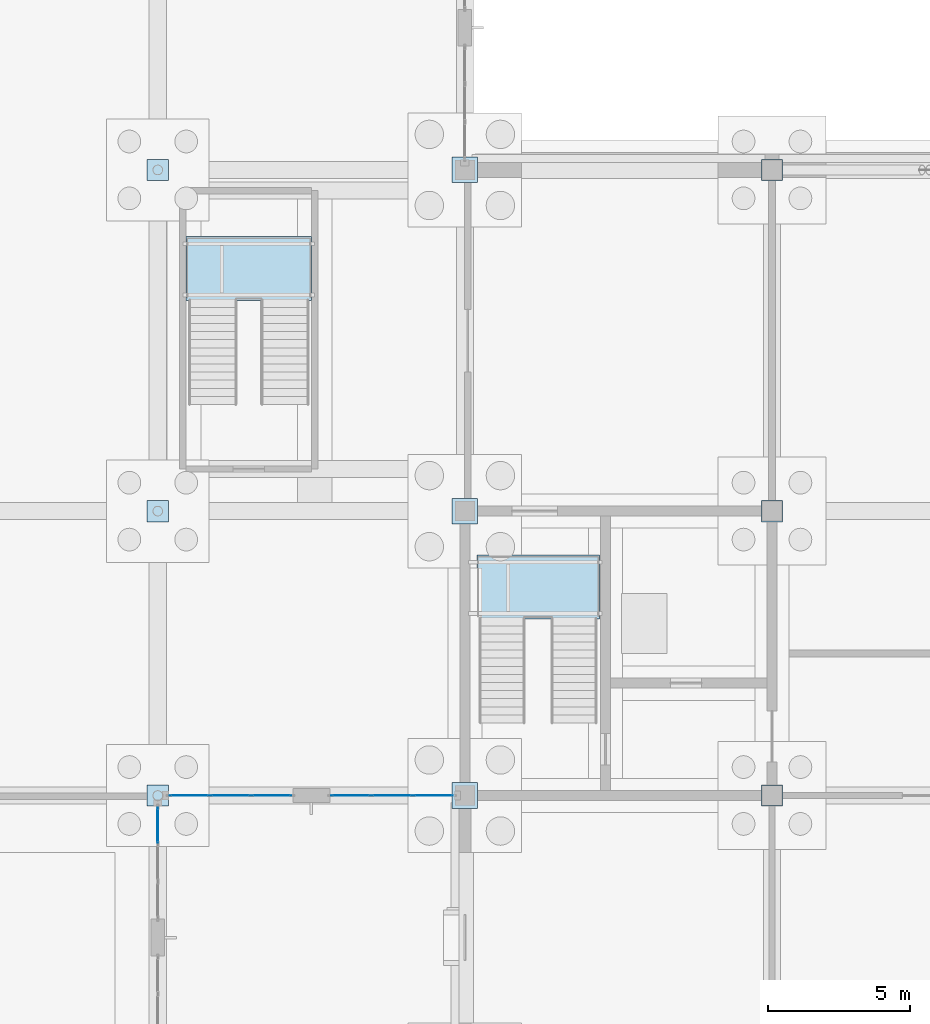
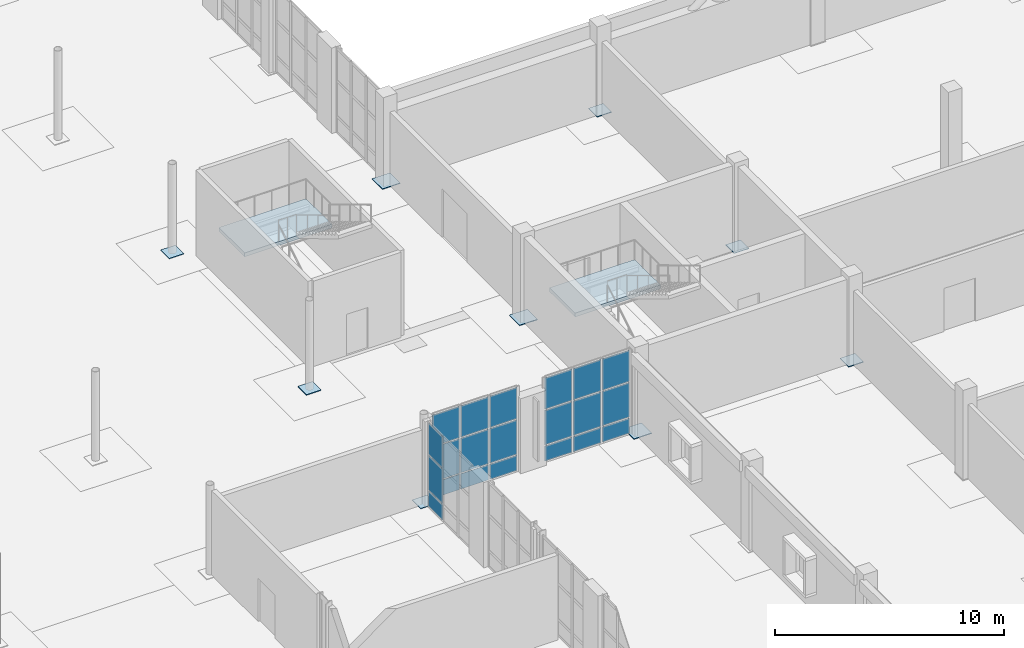
# One storey, part 42 of 73: 30 plates, 2 slabs, 5 elements without a shape of their own.
"""IFC4 building model written with IfcOpenShell, lengths in metres."""

import ifcopenshell
import ifcopenshell.guid

model = None  # the IFC model being written
_history = None  # IfcOwnerHistory: only IFC2X3 demands one
_inside = {}  # id of a spatial element -> (the spatial element, [elements in it])
_under = {}  # id of a project, library or spatial element -> (it, [spatial elements below it])
_declared = {}  # id of a project -> (the project, [libraries it declares])
_typed = {}  # id of a type object -> (the type object, [elements of that type])
_made_of = {}  # id of a material, layer set ... -> (it, [elements and type objects made of it])


def new_model(schema):
    """Start an empty IFC model of exactly this schema.

    Asked for "IFC4X3", IfcOpenShell would pick the latest addendum, in which some entities
    have other attributes; the version numbers below select the first issue.
    IFC2X3 requires an IfcOwnerHistory on every rooted entity: one is made here for all.
    """
    global model, _history
    if schema == "IFC4X3":
        model = ifcopenshell.file(schema_version=(4, 3, 0, 0))
    else:
        model = ifcopenshell.file(schema=schema)
    _inside.clear()
    _under.clear()
    _declared.clear()
    _typed.clear()
    _made_of.clear()
    _history = None
    if model.schema == "IFC2X3":
        org = make("IfcOrganization", Name="unknown")
        user = make(
            "IfcPersonAndOrganization",
            ThePerson=make("IfcPerson", FamilyName="unknown"),
            TheOrganization=org,
        )
        app = make(
            "IfcApplication",
            ApplicationDeveloper=org,
            Version="unknown",
            ApplicationFullName="unknown",
            ApplicationIdentifier="unknown",
        )
        _history = make(
            "IfcOwnerHistory",
            OwningUser=user,
            OwningApplication=app,
            ChangeAction="ADDED",
            CreationDate=0,
        )
    return model


def make(cls, **values):
    """One entity of the class cls with the attributes given. An attribute that is None is left unset."""
    return model.create_entity(
        cls, **{name: value for name, value in values.items() if value is not None}
    )


def rooted(cls, **values):
    """An entity with a GlobalId (a new one), such as an element, a storey or a relation."""
    return make(cls, GlobalId=ifcopenshell.guid.new(), OwnerHistory=_history, **values)


def si_unit(unit_type, name, prefix=None):
    """IfcSIUnit, for example si_unit("LENGTHUNIT", "METRE", prefix="MILLI")."""
    return make("IfcSIUnit", UnitType=unit_type, Prefix=prefix, Name=name)


def assignment(units):
    """IfcUnitAssignment: the units of a project."""
    return None if units is None else make("IfcUnitAssignment", Units=units)


def point(xyz):
    """IfcCartesianPoint."""
    return None if xyz is None else make("IfcCartesianPoint", Coordinates=xyz)


def direction(xyz):
    """IfcDirection."""
    return None if xyz is None else make("IfcDirection", DirectionRatios=xyz)


def frame(location, z_axis=None, x_axis=None):
    """IfcAxis2Placement3D, a coordinate frame: its origin and axes. An axis left out is left unset."""
    return make(
        "IfcAxis2Placement3D",
        Location=point(location),
        Axis=direction(z_axis),
        RefDirection=direction(x_axis),
    )


def frame_2d(location, x_axis=None):
    """IfcAxis2Placement2D, a coordinate frame in the plane: its origin and x axis."""
    return make(
        "IfcAxis2Placement2D", Location=point(location), RefDirection=direction(x_axis)
    )


def origin():
    """The frame at (0, 0, 0) with its axes left unset."""
    return frame((0.0, 0.0, 0.0))


def origin_2d():
    """The frame at (0, 0) in the plane with its x axis left unset."""
    return frame_2d((0.0, 0.0))


def place(relative_to, where):
    """IfcLocalPlacement: puts the frame where relative to a parent placement (None: the world)."""
    return make(
        "IfcLocalPlacement", PlacementRelTo=relative_to, RelativePlacement=where
    )


def context(
    kind, dimensions, precision=None, world=None, true_north=None, identifier=None
):
    """IfcGeometricRepresentationContext, for example the 3D "Model" context."""
    return make(
        "IfcGeometricRepresentationContext",
        ContextIdentifier=identifier,
        ContextType=kind,
        CoordinateSpaceDimension=dimensions,
        Precision=precision,
        WorldCoordinateSystem=world,
        TrueNorth=true_north,
    )


def subcontext(parent, identifier, kind, view, scale=None):
    """IfcGeometricRepresentationSubContext, for example "Body" below "Model"."""
    return make(
        "IfcGeometricRepresentationSubContext",
        ContextIdentifier=identifier,
        ContextType=kind,
        ParentContext=parent,
        TargetScale=scale,
        TargetView=view,
    )


def project(units=None, contexts=None):
    """IfcProject with its units and contexts."""
    return rooted(
        "IfcProject",
        Name="project",
        RepresentationContexts=contexts,
        UnitsInContext=assignment(units),
    )


def spatial(cls, under=None, at=None, **own):
    """A site, building, storey or space (cls), placed at a placement, below another one or the project."""
    s = rooted(cls, ObjectPlacement=at, **own)
    if under is not None:
        _under.setdefault(under.id(), (under, []))[1].append(s)
    return s


def polyline(points):
    """IfcPolyline through the points."""
    return make("IfcPolyline", Points=[point(p) for p in points])


def profile(cls, at=None, kind="AREA", **sizes):
    """A parametric profile (cls). Its sizes go by their IFC names, for example OverallWidth=200.0."""
    return make(cls, ProfileType=kind, Position=at, **sizes)


def rectangle(**sizes):
    """IfcRectangleProfileDef."""
    return profile("IfcRectangleProfileDef", **sizes)


def outline(outer, holes=None, kind="AREA"):
    """IfcArbitraryClosedProfileDef: a profile drawn as a closed curve; with holes, ...WithVoids."""
    if holes is None:
        return make("IfcArbitraryClosedProfileDef", ProfileType=kind, OuterCurve=outer)
    return make(
        "IfcArbitraryProfileDefWithVoids",
        ProfileType=kind,
        OuterCurve=outer,
        InnerCurves=holes,
    )


def extrude(swept, where, along, depth):
    """IfcExtrudedAreaSolid: the profile swept, set in the frame where, extruded along a direction by depth."""
    return make(
        "IfcExtrudedAreaSolid",
        SweptArea=swept,
        Position=where,
        ExtrudedDirection=direction(along),
        Depth=depth,
    )


def shape(context_of_items, identifier, shape_type, items):
    """IfcShapeRepresentation: the items that make up one representation, for example the "Body"."""
    return make(
        "IfcShapeRepresentation",
        ContextOfItems=context_of_items,
        RepresentationIdentifier=identifier,
        RepresentationType=shape_type,
        Items=items,
    )


def material(Name=None, Category=None):
    """IfcMaterial."""
    return make("IfcMaterial", Name=Name, Category=Category)


def layer(
    of_material, thickness, ventilated=None, Name=None, Category=None, Priority=None
):
    """IfcMaterialLayer: one layer of a wall or slab, of a material (None: an air gap)."""
    return make(
        "IfcMaterialLayer",
        Material=of_material,
        LayerThickness=thickness,
        IsVentilated=ventilated,
        Name=Name,
        Category=Category,
        Priority=Priority,
    )


def layer_set(layers, Name=None):
    """IfcMaterialLayerSet."""
    return make("IfcMaterialLayerSet", MaterialLayers=layers, LayerSetName=Name)


def made_of(thing, what):
    """Note that an element or type object is made of a material, layer set ...; save() writes the relation."""
    if what is not None:
        _made_of.setdefault(what.id(), (what, []))[1].append(thing)
    return thing


def type_object(cls, material=None, **own):
    """A type object (cls), such as IfcWallType, which elements share."""
    return made_of(rooted(cls, **own), material)


def element(
    cls,
    number,
    at=None,
    inside=None,
    cuts=None,
    type_object=None,
    material=None,
    context=None,
    identifier="Body",
    shape_type=None,
    held_by="IfcProductDefinitionShape",
    body=None,
    shapes=None,
    **own,
):
    """One element of the class cls, such as IfcWall. Its Tag is "e" and its number.

    at: its placement. inside: the storey or other place that contains it. cuts: it is an
    opening in that element (IfcRelVoidsElement). A single representation is given by context,
    identifier, shape_type and body (its items); several are given by shapes. held_by: the class
    of the entity that holds the representations. save() writes the other relations.
    """
    e = rooted(cls, Tag="e%d" % number, ObjectPlacement=at, **own)
    if body is not None:
        shapes = [shape(context, identifier, shape_type, body)]
    if shapes is not None:
        e.Representation = make(held_by, Representations=shapes)
    if inside is not None:
        _inside.setdefault(inside.id(), (inside, []))[1].append(e)
    if cuts is not None:
        rooted(
            "IfcRelVoidsElement", RelatingBuildingElement=cuts, RelatedOpeningElement=e
        )
    if type_object is not None:
        _typed.setdefault(type_object.id(), (type_object, []))[1].append(e)
    return made_of(e, material)


def aggregate(whole, parts):
    """IfcRelAggregates: a whole, such as a stair, and the parts it consists of."""
    return rooted("IfcRelAggregates", RelatingObject=whole, RelatedObjects=parts)


def save(model, path):
    """Write the relations noted so far, then the file.

    IfcRelAggregates (storeys below a building ...), IfcRelContainedInSpatialStructure (elements
    in a storey), IfcRelDefinesByType, IfcRelAssociatesMaterial and IfcRelDeclares: one each for
    every whole, place, type object, material and project.
    """
    for whole, parts in _under.values():
        aggregate(whole, parts)
    for where, things in _inside.values():
        rooted(
            "IfcRelContainedInSpatialStructure",
            RelatedElements=things,
            RelatingStructure=where,
        )
    for kind, things in _typed.values():
        rooted("IfcRelDefinesByType", RelatedObjects=things, RelatingType=kind)
    for what, things in _made_of.values():
        rooted("IfcRelAssociatesMaterial", RelatedObjects=things, RelatingMaterial=what)
    for by, libraries in _declared.values():
        rooted("IfcRelDeclares", RelatingContext=by, RelatedDefinitions=libraries)
    model.write(path)


model = new_model("IFC4")

# Units and contexts
model_context = context("Model", 3, precision=1e-05, world=origin(), true_north=direction((0.0, 1.0)))
body_context = subcontext(model_context, "Body", "Model", "MODEL_VIEW")
ifc_project = project(units=[si_unit("LENGTHUNIT", "METRE"), si_unit("AREAUNIT", "SQUARE_METRE"), si_unit("VOLUMEUNIT", "CUBIC_METRE"), si_unit("PLANEANGLEUNIT", "RADIAN"), si_unit("MASSUNIT", "GRAM", prefix="KILO")], contexts=[model_context])

# Site, building, storey
site_placement = place(None, origin())
site = spatial("IfcSite", under=ifc_project, at=site_placement, CompositionType="ELEMENT")
building_placement = place(site_placement, origin())
building = spatial("IfcBuilding", under=site, at=building_placement, Name="Tasgan Crest Museum", CompositionType="ELEMENT")
storey_placement = place(building_placement, origin())
storey = spatial("IfcBuildingStorey", under=building, at=storey_placement, Name="L00", CompositionType="ELEMENT", Elevation=0.0)

# Curtain wall, plate
ifc_material_1 = material(Name="Triple-Glazed Aluminium Curtain Wall", Category="aluminium")
ifc_layer_1 = layer(ifc_material_1, 0.179931640625, Name="CW-PORCH-Y")
ifc_layer_set_1 = layer_set([ifc_layer_1], Name="Triple-Glazed Aluminium Curtain Wall")
curtain_wall_type_1 = type_object("IfcCurtainWallType", Name="CW-PORCH-Y", PredefinedType="NOTDEFINED", material=ifc_layer_set_1)
curtain_wall_1_placement = place(storey_placement, origin())
curtain_wall_1 = element("IfcCurtainWall", 1, at=curtain_wall_1_placement, inside=storey, type_object=curtain_wall_type_1, Name="Curtain wall L00 010", PredefinedType="NOTDEFINED")
ifc_material_2 = material(Name="Insulated Spandrel Glass", Category="glass")
ifc_layer_2 = layer(ifc_material_2, 0.052001953125, Name="CW-PANEL-SPANDREL")
ifc_layer_set_2 = layer_set([ifc_layer_2], Name="Insulated Spandrel Glass")
plate_type_1 = type_object("IfcPlateType", Name="CW-PANEL-SPANDREL", PredefinedType="CURTAIN_PANEL", material=ifc_layer_set_2)
plate_1_placement = place(storey_placement, frame((97.199951171875, 38.955078125, 0.06005859375), z_axis=(0.0, 0.0, 1.0), x_axis=(0.0, 1.0, 0.0)))
plate_1 = element("IfcPlate", 2, at=plate_1_placement, type_object=plate_type_1, Name="CW02 panel 3.1", PredefinedType="CURTAIN_PANEL", context=body_context, shape_type="SweptSolid", body=[
    extrude(rectangle(XDim=1.239990234375, YDim=0.028076171875, at=origin_2d()), origin(), (0.0, 0.0, 1.0), 0.81005859375),
])

# Curtain wall, plates
ifc_material_3 = material(Name="Triple-Glazed Aluminium Curtain Wall", Category="aluminium")
ifc_layer_3 = layer(ifc_material_3, 0.179931640625, Name="CW-DRUM-X-48")
ifc_layer_set_3 = layer_set([ifc_layer_3], Name="Triple-Glazed Aluminium Curtain Wall")
curtain_wall_type_2 = type_object("IfcCurtainWallType", Name="CW-DRUM-X-48", PredefinedType="NOTDEFINED", material=ifc_layer_set_3)
curtain_wall_2_placement = place(storey_placement, origin())
curtain_wall_2 = element("IfcCurtainWall", 3, at=curtain_wall_2_placement, inside=storey, type_object=curtain_wall_type_2, Name="Curtain wall L00 011", PredefinedType="NOTDEFINED")
plate_2_placement = place(storey_placement, frame((98.311767578125, 40.0, 0.06005859375), z_axis=(0.0, 0.0, 1.0), x_axis=(1.0, 0.0, 0.0)))
plate_2 = element("IfcPlate", 4, at=plate_2_placement, type_object=plate_type_1, Name="CW03 panel 1.1", PredefinedType="CURTAIN_PANEL", context=body_context, shape_type="SweptSolid", body=[
    extrude(rectangle(XDim=1.373291015625, YDim=0.028076171875, at=origin_2d()), origin(), (0.0, 0.0, 1.0), 0.81005859375),
])
plate_3_placement = place(storey_placement, frame((99.760009765625, 40.0, 0.06005859375), z_axis=(0.0, 0.0, 1.0), x_axis=(1.0, 0.0, 0.0)))
plate_3 = element("IfcPlate", 5, at=plate_3_placement, type_object=plate_type_1, Name="CW03 panel 2.1", PredefinedType="CURTAIN_PANEL", context=body_context, shape_type="SweptSolid", body=[
    extrude(rectangle(XDim=1.4033203125, YDim=0.028076171875, at=origin_2d()), origin(), (0.0, 0.0, 1.0), 0.81005859375),
])
plate_4_placement = place(storey_placement, frame((101.208251953125, 40.0, 0.06005859375), z_axis=(0.0, 0.0, 1.0), x_axis=(1.0, 0.0, 0.0)))
plate_4 = element("IfcPlate", 6, at=plate_4_placement, type_object=plate_type_1, Name="CW03 panel 3.1", PredefinedType="CURTAIN_PANEL", context=body_context, shape_type="SweptSolid", body=[
    extrude(rectangle(XDim=1.373291015625, YDim=0.028076171875, at=origin_2d()), origin(), (0.0, 0.0, 1.0), 0.81005859375),
])

curtain_wall_3_placement = place(storey_placement, origin())
curtain_wall_3 = element("IfcCurtainWall", 7, at=curtain_wall_3_placement, inside=storey, type_object=curtain_wall_type_2, Name="Curtain wall L00 012", PredefinedType="NOTDEFINED")
plate_5_placement = place(storey_placement, frame((103.99169921875, 40.0, 0.06005859375), z_axis=(0.0, 0.0, 1.0), x_axis=(1.0, 0.0, 0.0)))
plate_5 = element("IfcPlate", 8, at=plate_5_placement, type_object=plate_type_1, Name="CW03 panel 1.1", PredefinedType="CURTAIN_PANEL", context=body_context, shape_type="SweptSolid", body=[
    extrude(rectangle(XDim=1.373291015625, YDim=0.028076171875, at=origin_2d()), origin(), (0.0, 0.0, 1.0), 0.81005859375),
])
plate_6_placement = place(storey_placement, frame((105.43994140625, 40.0, 0.06005859375), z_axis=(0.0, 0.0, 1.0), x_axis=(1.0, 0.0, 0.0)))
plate_6 = element("IfcPlate", 9, at=plate_6_placement, type_object=plate_type_1, Name="CW03 panel 2.1", PredefinedType="CURTAIN_PANEL", context=body_context, shape_type="SweptSolid", body=[
    extrude(rectangle(XDim=1.4033203125, YDim=0.028076171875, at=origin_2d()), origin(), (0.0, 0.0, 1.0), 0.81005859375),
])
plate_7_placement = place(storey_placement, frame((106.888427734375, 40.0, 0.06005859375), z_axis=(0.0, 0.0, 1.0), x_axis=(1.0, 0.0, 0.0)))
plate_7 = element("IfcPlate", 10, at=plate_7_placement, type_object=plate_type_1, Name="CW03 panel 3.1", PredefinedType="CURTAIN_PANEL", context=body_context, shape_type="SweptSolid", body=[
    extrude(rectangle(XDim=1.373291015625, YDim=0.028076171875, at=origin_2d()), origin(), (0.0, 0.0, 1.0), 0.81005859375),
])

# Plate
ifc_material_4 = material(Name="Low-E Triple Glazing", Category="glass")
ifc_layer_4 = layer(ifc_material_4, 0.0439453125, Name="CW-PANEL-TRIPLE")
ifc_layer_set_4 = layer_set([ifc_layer_4], Name="Low-E Triple Glazing")
plate_type_2 = type_object("IfcPlateType", Name="CW-PANEL-TRIPLE", PredefinedType="CURTAIN_PANEL", material=ifc_layer_set_4)
plate_8_placement = place(storey_placement, frame((97.199951171875, 38.955078125, 0.93017578125), z_axis=(0.0, 0.0, 1.0), x_axis=(0.0, 1.0, 0.0)))
plate_8 = element("IfcPlate", 11, at=plate_8_placement, type_object=plate_type_2, Name="CW02 panel 3.2", PredefinedType="CURTAIN_PANEL", context=body_context, shape_type="SweptSolid", body=[
    extrude(rectangle(XDim=1.239990234375, YDim=0.028076171875, at=origin_2d()), origin(), (0.0, 0.0, 1.0), 1.840087890625),
])

plate_9_placement = place(storey_placement, frame((97.199951171875, 38.955078125, 2.830078125), z_axis=(0.0, 0.0, 1.0), x_axis=(0.0, 1.0, 0.0)))
plate_9 = element("IfcPlate", 12, at=plate_9_placement, type_object=plate_type_2, Name="CW02 panel 3.3", PredefinedType="CURTAIN_PANEL", context=body_context, shape_type="SweptSolid", body=[
    extrude(rectangle(XDim=1.239990234375, YDim=0.028076171875, at=origin_2d()), origin(), (0.0, 0.0, 1.0), 1.669921875),
])

aggregate(curtain_wall_1, [plate_1, plate_8, plate_9])

plate_10_placement = place(storey_placement, frame((98.311767578125, 40.0, 0.93017578125), z_axis=(0.0, 0.0, 1.0), x_axis=(1.0, 0.0, 0.0)))
plate_10 = element("IfcPlate", 13, at=plate_10_placement, type_object=plate_type_2, Name="CW03 panel 1.2", PredefinedType="CURTAIN_PANEL", context=body_context, shape_type="SweptSolid", body=[
    extrude(rectangle(XDim=1.373291015625, YDim=0.028076171875, at=origin_2d()), origin(), (0.0, 0.0, 1.0), 1.840087890625),
])

plate_11_placement = place(storey_placement, frame((98.311767578125, 40.0, 2.830078125), z_axis=(0.0, 0.0, 1.0), x_axis=(1.0, 0.0, 0.0)))
plate_11 = element("IfcPlate", 14, at=plate_11_placement, type_object=plate_type_2, Name="CW03 panel 1.3", PredefinedType="CURTAIN_PANEL", context=body_context, shape_type="SweptSolid", body=[
    extrude(rectangle(XDim=1.373291015625, YDim=0.028076171875, at=origin_2d()), origin(), (0.0, 0.0, 1.0), 1.669921875),
])

plate_12_placement = place(storey_placement, frame((99.760009765625, 40.0, 0.93017578125), z_axis=(0.0, 0.0, 1.0), x_axis=(1.0, 0.0, 0.0)))
plate_12 = element("IfcPlate", 15, at=plate_12_placement, type_object=plate_type_2, Name="CW03 panel 2.2", PredefinedType="CURTAIN_PANEL", context=body_context, shape_type="SweptSolid", body=[
    extrude(rectangle(XDim=1.4033203125, YDim=0.028076171875, at=origin_2d()), origin(), (0.0, 0.0, 1.0), 1.840087890625),
])

plate_13_placement = place(storey_placement, frame((99.760009765625, 40.0, 2.830078125), z_axis=(0.0, 0.0, 1.0), x_axis=(1.0, 0.0, 0.0)))
plate_13 = element("IfcPlate", 16, at=plate_13_placement, type_object=plate_type_2, Name="CW03 panel 2.3", PredefinedType="CURTAIN_PANEL", context=body_context, shape_type="SweptSolid", body=[
    extrude(rectangle(XDim=1.4033203125, YDim=0.028076171875, at=origin_2d()), origin(), (0.0, 0.0, 1.0), 1.669921875),
])

plate_14_placement = place(storey_placement, frame((101.208251953125, 40.0, 0.93017578125), z_axis=(0.0, 0.0, 1.0), x_axis=(1.0, 0.0, 0.0)))
plate_14 = element("IfcPlate", 17, at=plate_14_placement, type_object=plate_type_2, Name="CW03 panel 3.2", PredefinedType="CURTAIN_PANEL", context=body_context, shape_type="SweptSolid", body=[
    extrude(rectangle(XDim=1.373291015625, YDim=0.028076171875, at=origin_2d()), origin(), (0.0, 0.0, 1.0), 1.840087890625),
])

plate_15_placement = place(storey_placement, frame((101.208251953125, 40.0, 2.830078125), z_axis=(0.0, 0.0, 1.0), x_axis=(1.0, 0.0, 0.0)))
plate_15 = element("IfcPlate", 18, at=plate_15_placement, type_object=plate_type_2, Name="CW03 panel 3.3", PredefinedType="CURTAIN_PANEL", context=body_context, shape_type="SweptSolid", body=[
    extrude(rectangle(XDim=1.373291015625, YDim=0.028076171875, at=origin_2d()), origin(), (0.0, 0.0, 1.0), 1.669921875),
])

aggregate(curtain_wall_2, [plate_2, plate_10, plate_11, plate_3, plate_12, plate_13, plate_4, plate_14, plate_15])

plate_16_placement = place(storey_placement, frame((103.99169921875, 40.0, 0.93017578125), z_axis=(0.0, 0.0, 1.0), x_axis=(1.0, 0.0, 0.0)))
plate_16 = element("IfcPlate", 19, at=plate_16_placement, type_object=plate_type_2, Name="CW03 panel 1.2", PredefinedType="CURTAIN_PANEL", context=body_context, shape_type="SweptSolid", body=[
    extrude(rectangle(XDim=1.373291015625, YDim=0.028076171875, at=origin_2d()), origin(), (0.0, 0.0, 1.0), 1.840087890625),
])

plate_17_placement = place(storey_placement, frame((103.99169921875, 40.0, 2.830078125), z_axis=(0.0, 0.0, 1.0), x_axis=(1.0, 0.0, 0.0)))
plate_17 = element("IfcPlate", 20, at=plate_17_placement, type_object=plate_type_2, Name="CW03 panel 1.3", PredefinedType="CURTAIN_PANEL", context=body_context, shape_type="SweptSolid", body=[
    extrude(rectangle(XDim=1.373291015625, YDim=0.028076171875, at=origin_2d()), origin(), (0.0, 0.0, 1.0), 1.669921875),
])

plate_18_placement = place(storey_placement, frame((105.43994140625, 40.0, 0.93017578125), z_axis=(0.0, 0.0, 1.0), x_axis=(1.0, 0.0, 0.0)))
plate_18 = element("IfcPlate", 21, at=plate_18_placement, type_object=plate_type_2, Name="CW03 panel 2.2", PredefinedType="CURTAIN_PANEL", context=body_context, shape_type="SweptSolid", body=[
    extrude(rectangle(XDim=1.4033203125, YDim=0.028076171875, at=origin_2d()), origin(), (0.0, 0.0, 1.0), 1.840087890625),
])

plate_19_placement = place(storey_placement, frame((105.43994140625, 40.0, 2.830078125), z_axis=(0.0, 0.0, 1.0), x_axis=(1.0, 0.0, 0.0)))
plate_19 = element("IfcPlate", 22, at=plate_19_placement, type_object=plate_type_2, Name="CW03 panel 2.3", PredefinedType="CURTAIN_PANEL", context=body_context, shape_type="SweptSolid", body=[
    extrude(rectangle(XDim=1.4033203125, YDim=0.028076171875, at=origin_2d()), origin(), (0.0, 0.0, 1.0), 1.669921875),
])

plate_20_placement = place(storey_placement, frame((106.888427734375, 40.0, 0.93017578125), z_axis=(0.0, 0.0, 1.0), x_axis=(1.0, 0.0, 0.0)))
plate_20 = element("IfcPlate", 23, at=plate_20_placement, type_object=plate_type_2, Name="CW03 panel 3.2", PredefinedType="CURTAIN_PANEL", context=body_context, shape_type="SweptSolid", body=[
    extrude(rectangle(XDim=1.373291015625, YDim=0.028076171875, at=origin_2d()), origin(), (0.0, 0.0, 1.0), 1.840087890625),
])

plate_21_placement = place(storey_placement, frame((106.888427734375, 40.0, 2.830078125), z_axis=(0.0, 0.0, 1.0), x_axis=(1.0, 0.0, 0.0)))
plate_21 = element("IfcPlate", 24, at=plate_21_placement, type_object=plate_type_2, Name="CW03 panel 3.3", PredefinedType="CURTAIN_PANEL", context=body_context, shape_type="SweptSolid", body=[
    extrude(rectangle(XDim=1.373291015625, YDim=0.028076171875, at=origin_2d()), origin(), (0.0, 0.0, 1.0), 1.669921875),
])

aggregate(curtain_wall_3, [plate_5, plate_16, plate_17, plate_6, plate_18, plate_19, plate_7, plate_20, plate_21])

# Plates
ifc_material_5 = material(Name="Steel S355K2", Category="steel")
ifc_layer_5 = layer(ifc_material_5, 0.75, Name="PL-BASE-750")
ifc_layer_set_5 = layer_set([ifc_layer_5], Name="Steel S355K2")
plate_type_3 = type_object("IfcPlateType", Name="PL-BASE-750", PredefinedType="USERDEFINED", material=ifc_layer_set_5)
for number, where, z_axis, x_axis, name in (
    (25, (97.199951171875, 40.0, 0.0), (0.0, 0.0, 1.0), (1.0, 0.0, 0.0), "Base plate 10/E"),
    (26, (97.199951171875, 50.0, 0.0), (0.0, 0.0, 1.0), (1.0, 0.0, 0.0), "Base plate 10/F"),
    (27, (97.199951171875, 62.0, 0.0), (0.0, 0.0, 1.0), (1.0, 0.0, 0.0), "Base plate 10/G"),
    (28, (118.800048828125, 40.0, 0.0), (0.0, 0.0, 1.0), (1.0, 0.0, 0.0), "Base plate 12/E"),
    (29, (118.800048828125, 50.0, 0.0), (0.0, 0.0, 1.0), (1.0, 0.0, 0.0), "Base plate 12/F"),
    (30, (118.800048828125, 62.0, 0.0), (0.0, 0.0, 1.0), (1.0, 0.0, 0.0), "Base plate 12/G"),
):
    element("IfcPlate", number, at=place(storey_placement, frame(where, z_axis=z_axis, x_axis=x_axis)), inside=storey, type_object=plate_type_3, Name=name, ObjectType="BASE PLATE", PredefinedType="USERDEFINED", context=body_context, shape_type="SweptSolid", body=[
        extrude(rectangle(XDim=0.75, YDim=0.75, at=origin_2d()), origin(), (0.0, 0.0, 1.0), 0.031982421875),
    ])
ifc_material_6 = material(Name="Steel S355K2", Category="steel")
ifc_layer_6 = layer(ifc_material_6, 0.89990234375, Name="PL-BASE-900")
ifc_layer_set_6 = layer_set([ifc_layer_6], Name="Steel S355K2")
plate_type_4 = type_object("IfcPlateType", Name="PL-BASE-900", PredefinedType="USERDEFINED", material=ifc_layer_set_6)
for number, where, z_axis, x_axis, name in (
    (31, (108.0, 40.0, 0.0), (0.0, 0.0, 1.0), (1.0, 0.0, 0.0), "Base plate 11/E"),
    (32, (108.0, 50.0, 0.0), (0.0, 0.0, 1.0), (1.0, 0.0, 0.0), "Base plate 11/F"),
    (33, (108.0, 62.0, 0.0), (0.0, 0.0, 1.0), (1.0, 0.0, 0.0), "Base plate 11/G"),
):
    element("IfcPlate", number, at=place(storey_placement, frame(where, z_axis=z_axis, x_axis=x_axis)), inside=storey, type_object=plate_type_4, Name=name, ObjectType="BASE PLATE", PredefinedType="USERDEFINED", context=body_context, shape_type="SweptSolid", body=[
        extrude(rectangle(XDim=0.89990234375, YDim=0.89990234375, at=origin_2d()), origin(), (0.0, 0.0, 1.0), 0.035888671875),
    ])

# Stair, slab
ifc_material_7 = material(Name="Concrete C35/45", Category="concrete")
stair_type_1 = type_object("IfcStairType", Name="ST-CORE-48", PredefinedType="HALF_TURN_STAIR", material=ifc_material_7)
stair_1_placement = place(storey_placement, origin())
stair_1 = element("IfcStair", 34, at=stair_1_placement, inside=storey, type_object=stair_type_1, Name="Stair ST-SE-L00 L00", PredefinedType="HALF_TURN_STAIR")
ifc_material_8 = material(Name="Concrete C35/45", Category="concrete")
ifc_layer_7 = layer(ifc_material_8, 0.199951171875, Name="SL-LAND-200")
ifc_layer_set_7 = layer_set([ifc_layer_7], Name="Concrete C35/45")
slab_type = type_object("IfcSlabType", Name="SL-LAND-200", PredefinedType="LANDING", material=ifc_layer_set_7)
slab_1_placement = place(storey_placement, frame((0.0, 0.0, 2.199951171875)))
slab_1 = element("IfcSlab", 35, at=slab_1_placement, type_object=slab_type, Name="ST-SE-L00 landing 1", PredefinedType="LANDING", context=body_context, shape_type="SweptSolid", body=[
    extrude(outline(polyline([(108.419921875, 46.205078125), (112.72998046875, 46.205078125), (112.72998046875, 48.455078125), (108.419921875, 48.455078125), (108.419921875, 46.205078125)])), origin(), (0.0, 0.0, 1.0), 0.199951171875),
])
aggregate(stair_1, [slab_1])

ifc_material_9 = material(Name="Steel S355J2", Category="steel")
stair_type_2 = type_object("IfcStairType", Name="ST-FEAT-48", PredefinedType="HALF_TURN_STAIR", material=ifc_material_9)
stair_2_placement = place(storey_placement, origin())
stair_2 = element("IfcStair", 36, at=stair_2_placement, inside=storey, type_object=stair_type_2, Name="Stair ST-AT-L00 L00", PredefinedType="HALF_TURN_STAIR")
slab_2_placement = place(storey_placement, frame((0.0, 0.0, 2.199951171875)))
slab_2 = element("IfcSlab", 37, at=slab_2_placement, type_object=slab_type, Name="ST-AT-L00 landing 1", PredefinedType="LANDING", context=body_context, shape_type="SweptSolid", body=[
    extrude(outline(polyline([(98.199951171875, 57.405029296875), (102.60009765625, 57.405029296875), (102.60009765625, 59.655029296875), (98.199951171875, 59.655029296875), (98.199951171875, 57.405029296875)])), origin(), (0.0, 0.0, 1.0), 0.199951171875),
])
aggregate(stair_2, [slab_2])

save(model, "model.ifc")
